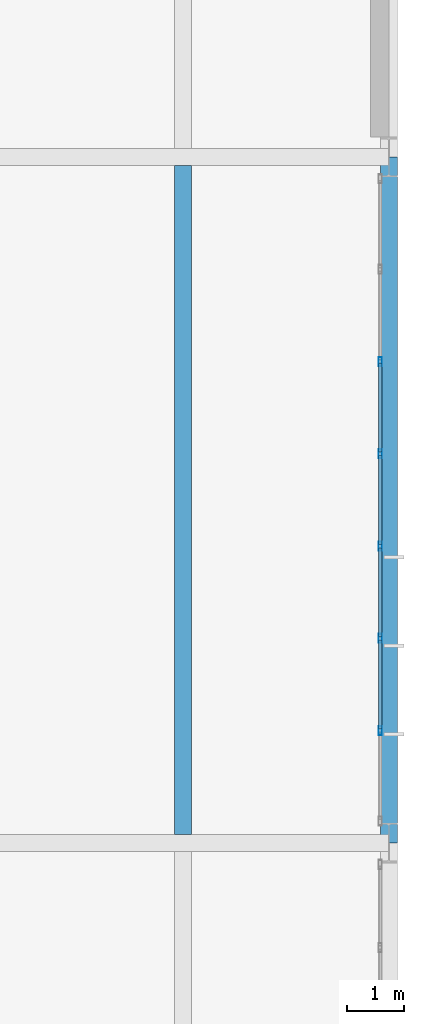
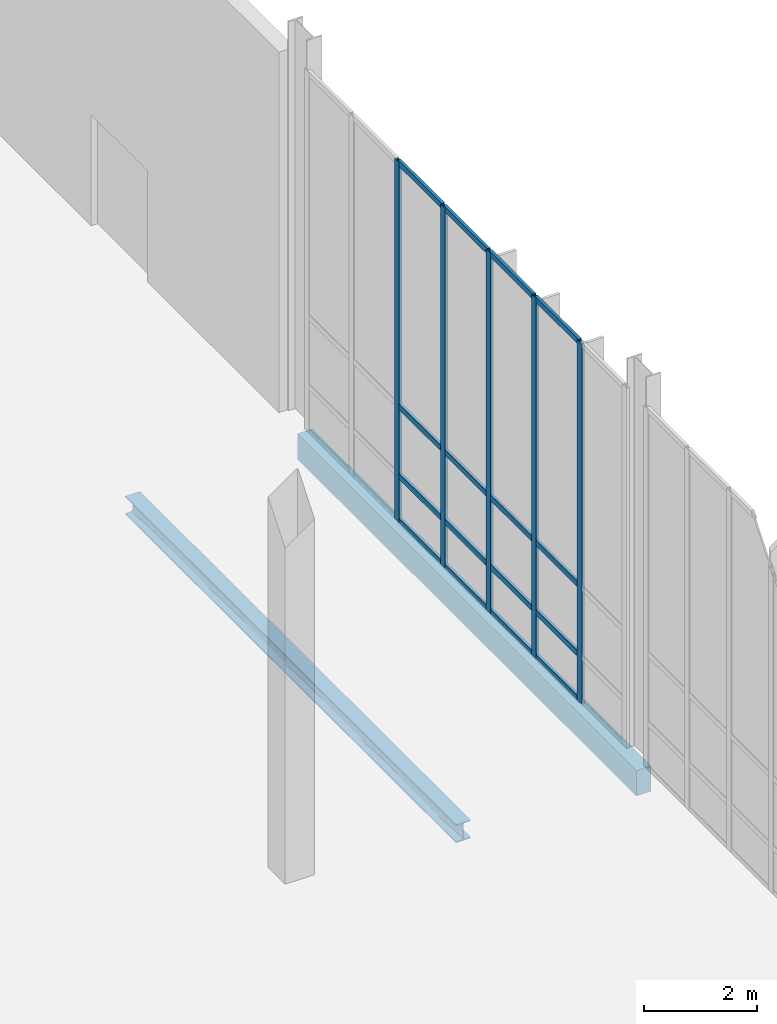
# One storey, part 96 of 131: 21 members, 2 beams, 1 element without a shape of its own.
"""IFC4 building model written with IfcOpenShell, lengths in metres."""

from ifc_helpers import new_model, si_unit, direction, frame, origin, origin_2d, place, context, subcontext, project, spatial, rectangle, hollow_rectangle, i_section, extrude, material, material_profile, profile_set, type_object, element, aggregate, save


model = new_model("IFC4")

# Units and contexts
model_context = context("Model", 3, precision=1e-05, world=origin(), true_north=direction((0.0, 1.0)))
body_context = subcontext(model_context, "Body", "Model", "MODEL_VIEW")
ifc_project = project(units=[si_unit("LENGTHUNIT", "METRE"), si_unit("AREAUNIT", "SQUARE_METRE"), si_unit("VOLUMEUNIT", "CUBIC_METRE"), si_unit("PLANEANGLEUNIT", "RADIAN"), si_unit("MASSUNIT", "GRAM", prefix="KILO")], contexts=[model_context])

# Site, building, storey
site_placement = place(None, origin())
site = spatial("IfcSite", under=ifc_project, at=site_placement, CompositionType="ELEMENT")
building_placement = place(site_placement, origin())
building = spatial("IfcBuilding", under=site, at=building_placement, Name="Veltarok Museum of Natural Sciences", CompositionType="ELEMENT")
storey_placement = place(building_placement, origin())
storey = spatial("IfcBuildingStorey", under=building, at=storey_placement, Name="L00", CompositionType="ELEMENT", Elevation=0.0)

# Curtain wall, members
ifc_material_1 = material(Name="Low-iron triple insulated glass", Category="glass")
curtain_wall_type = type_object("IfcCurtainWallType", Name="Curtain Wall System CW-V5E-L00-E-1130x778 (V5 East Lab L00 E-F 1130x778cm)", PredefinedType="NOTDEFINED", material=ifc_material_1)
curtain_wall_placement = place(storey_placement, origin())
curtain_wall = element("IfcCurtainWall", 1, at=curtain_wall_placement, inside=storey, type_object=curtain_wall_type, Name="Curtain Wall CW-V5E-L00-E-1130x778 CW-0102", PredefinedType="NOTDEFINED")
ifc_material_2 = material(Name="Thermally broken anodised aluminium", Category="aluminium")
ifc_material_profile_1 = material_profile(ifc_material_2, hollow_rectangle(XDim=0.06005859375, YDim=0.1201171875, WallThickness=0.0048828125, at=origin_2d()), Name="CW TRANSOM 60x120x5")
ifc_profile_set_1 = profile_set([ifc_material_profile_1], Name="Thermally broken anodised aluminium")
member_type_1 = type_object("IfcMemberType", Name="Curtain Wall Horizontal Transom 60x120x5", PredefinedType="USERDEFINED", material=ifc_profile_set_1)
member_1_placement = place(storey_placement, frame((164.64990234375, 37.994384765625, 0.030029296875), z_axis=(0.0, 1.0, 0.0), x_axis=(-1.0, 0.0, 0.0)))
member_1 = element("IfcMember", 2, at=member_1_placement, type_object=member_type_1, Name="CW-V5E-L00-E-1130x778 transom 2.1", ObjectType="TRANSOM", PredefinedType="USERDEFINED", context=body_context, shape_type="SweptSolid", body=[
    extrude(hollow_rectangle(XDim=0.06005859375, YDim=0.1201171875, WallThickness=0.0048828125, at=origin_2d()), origin(), (0.0, 0.0, 1.0), 1.55419921875),
])
member_2_placement = place(storey_placement, frame((164.64990234375, 37.994384765625, 1.0), z_axis=(0.0, 1.0, 0.0), x_axis=(-1.0, 0.0, 0.0)))
member_2 = element("IfcMember", 3, at=member_2_placement, type_object=member_type_1, Name="CW-V5E-L00-E-1130x778 transom 2.2", ObjectType="TRANSOM", PredefinedType="USERDEFINED", context=body_context, shape_type="SweptSolid", body=[
    extrude(hollow_rectangle(XDim=0.06005859375, YDim=0.1201171875, WallThickness=0.0048828125, at=origin_2d()), origin(), (0.0, 0.0, 1.0), 1.55419921875),
])
member_3_placement = place(storey_placement, frame((164.64990234375, 37.994384765625, 2.5), z_axis=(0.0, 1.0, 0.0), x_axis=(-1.0, 0.0, 0.0)))
member_3 = element("IfcMember", 4, at=member_3_placement, type_object=member_type_1, Name="CW-V5E-L00-E-1130x778 transom 2.3", ObjectType="TRANSOM", PredefinedType="USERDEFINED", context=body_context, shape_type="SweptSolid", body=[
    extrude(hollow_rectangle(XDim=0.06005859375, YDim=0.1201171875, WallThickness=0.0048828125, at=origin_2d()), origin(), (0.0, 0.0, 1.0), 1.55419921875),
])
member_4_placement = place(storey_placement, frame((164.64990234375, 37.994384765625, 7.75), z_axis=(0.0, 1.0, 0.0), x_axis=(-1.0, 0.0, 0.0)))
member_4 = element("IfcMember", 5, at=member_4_placement, type_object=member_type_1, Name="CW-V5E-L00-E-1130x778 transom 2.4", ObjectType="TRANSOM", PredefinedType="USERDEFINED", context=body_context, shape_type="SweptSolid", body=[
    extrude(hollow_rectangle(XDim=0.06005859375, YDim=0.1201171875, WallThickness=0.0048828125, at=origin_2d()), origin(), (0.0, 0.0, 1.0), 1.55419921875),
])
member_5_placement = place(storey_placement, frame((164.64990234375, 39.608642578125, 0.030029296875), z_axis=(0.0, 1.0, 0.0), x_axis=(-1.0, 0.0, 0.0)))
member_5 = element("IfcMember", 6, at=member_5_placement, type_object=member_type_1, Name="CW-V5E-L00-E-1130x778 transom 3.1", ObjectType="TRANSOM", PredefinedType="USERDEFINED", context=body_context, shape_type="SweptSolid", body=[
    extrude(hollow_rectangle(XDim=0.06005859375, YDim=0.1201171875, WallThickness=0.0048828125, at=origin_2d()), origin(), (0.0, 0.0, 1.0), 1.55419921875),
])
member_6_placement = place(storey_placement, frame((164.64990234375, 39.608642578125, 1.0), z_axis=(0.0, 1.0, 0.0), x_axis=(-1.0, 0.0, 0.0)))
member_6 = element("IfcMember", 7, at=member_6_placement, type_object=member_type_1, Name="CW-V5E-L00-E-1130x778 transom 3.2", ObjectType="TRANSOM", PredefinedType="USERDEFINED", context=body_context, shape_type="SweptSolid", body=[
    extrude(hollow_rectangle(XDim=0.06005859375, YDim=0.1201171875, WallThickness=0.0048828125, at=origin_2d()), origin(), (0.0, 0.0, 1.0), 1.55419921875),
])
member_7_placement = place(storey_placement, frame((164.64990234375, 39.608642578125, 2.5), z_axis=(0.0, 1.0, 0.0), x_axis=(-1.0, 0.0, 0.0)))
member_7 = element("IfcMember", 8, at=member_7_placement, type_object=member_type_1, Name="CW-V5E-L00-E-1130x778 transom 3.3", ObjectType="TRANSOM", PredefinedType="USERDEFINED", context=body_context, shape_type="SweptSolid", body=[
    extrude(hollow_rectangle(XDim=0.06005859375, YDim=0.1201171875, WallThickness=0.0048828125, at=origin_2d()), origin(), (0.0, 0.0, 1.0), 1.55419921875),
])
member_8_placement = place(storey_placement, frame((164.64990234375, 39.608642578125, 7.75), z_axis=(0.0, 1.0, 0.0), x_axis=(-1.0, 0.0, 0.0)))
member_8 = element("IfcMember", 9, at=member_8_placement, type_object=member_type_1, Name="CW-V5E-L00-E-1130x778 transom 3.4", ObjectType="TRANSOM", PredefinedType="USERDEFINED", context=body_context, shape_type="SweptSolid", body=[
    extrude(hollow_rectangle(XDim=0.06005859375, YDim=0.1201171875, WallThickness=0.0048828125, at=origin_2d()), origin(), (0.0, 0.0, 1.0), 1.55419921875),
])
member_9_placement = place(storey_placement, frame((164.64990234375, 41.222900390625, 0.030029296875), z_axis=(0.0, 1.0, 0.0), x_axis=(-1.0, 0.0, 0.0)))
member_9 = element("IfcMember", 10, at=member_9_placement, type_object=member_type_1, Name="CW-V5E-L00-E-1130x778 transom 4.1", ObjectType="TRANSOM", PredefinedType="USERDEFINED", context=body_context, shape_type="SweptSolid", body=[
    extrude(hollow_rectangle(XDim=0.06005859375, YDim=0.1201171875, WallThickness=0.0048828125, at=origin_2d()), origin(), (0.0, 0.0, 1.0), 1.55419921875),
])
member_10_placement = place(storey_placement, frame((164.64990234375, 41.222900390625, 1.0), z_axis=(0.0, 1.0, 0.0), x_axis=(-1.0, 0.0, 0.0)))
member_10 = element("IfcMember", 11, at=member_10_placement, type_object=member_type_1, Name="CW-V5E-L00-E-1130x778 transom 4.2", ObjectType="TRANSOM", PredefinedType="USERDEFINED", context=body_context, shape_type="SweptSolid", body=[
    extrude(hollow_rectangle(XDim=0.06005859375, YDim=0.1201171875, WallThickness=0.0048828125, at=origin_2d()), origin(), (0.0, 0.0, 1.0), 1.55419921875),
])
member_11_placement = place(storey_placement, frame((164.64990234375, 41.222900390625, 2.5), z_axis=(0.0, 1.0, 0.0), x_axis=(-1.0, 0.0, 0.0)))
member_11 = element("IfcMember", 12, at=member_11_placement, type_object=member_type_1, Name="CW-V5E-L00-E-1130x778 transom 4.3", ObjectType="TRANSOM", PredefinedType="USERDEFINED", context=body_context, shape_type="SweptSolid", body=[
    extrude(hollow_rectangle(XDim=0.06005859375, YDim=0.1201171875, WallThickness=0.0048828125, at=origin_2d()), origin(), (0.0, 0.0, 1.0), 1.55419921875),
])
member_12_placement = place(storey_placement, frame((164.64990234375, 41.222900390625, 7.75), z_axis=(0.0, 1.0, 0.0), x_axis=(-1.0, 0.0, 0.0)))
member_12 = element("IfcMember", 13, at=member_12_placement, type_object=member_type_1, Name="CW-V5E-L00-E-1130x778 transom 4.4", ObjectType="TRANSOM", PredefinedType="USERDEFINED", context=body_context, shape_type="SweptSolid", body=[
    extrude(hollow_rectangle(XDim=0.06005859375, YDim=0.1201171875, WallThickness=0.0048828125, at=origin_2d()), origin(), (0.0, 0.0, 1.0), 1.55419921875),
])
member_13_placement = place(storey_placement, frame((164.64990234375, 42.837158203125, 0.030029296875), z_axis=(0.0, 1.0, 0.0), x_axis=(-1.0, 0.0, 0.0)))
member_13 = element("IfcMember", 14, at=member_13_placement, type_object=member_type_1, Name="CW-V5E-L00-E-1130x778 transom 5.1", ObjectType="TRANSOM", PredefinedType="USERDEFINED", context=body_context, shape_type="SweptSolid", body=[
    extrude(hollow_rectangle(XDim=0.06005859375, YDim=0.1201171875, WallThickness=0.0048828125, at=origin_2d()), origin(), (0.0, 0.0, 1.0), 1.55419921875),
])
member_14_placement = place(storey_placement, frame((164.64990234375, 42.837158203125, 1.0), z_axis=(0.0, 1.0, 0.0), x_axis=(-1.0, 0.0, 0.0)))
member_14 = element("IfcMember", 15, at=member_14_placement, type_object=member_type_1, Name="CW-V5E-L00-E-1130x778 transom 5.2", ObjectType="TRANSOM", PredefinedType="USERDEFINED", context=body_context, shape_type="SweptSolid", body=[
    extrude(hollow_rectangle(XDim=0.06005859375, YDim=0.1201171875, WallThickness=0.0048828125, at=origin_2d()), origin(), (0.0, 0.0, 1.0), 1.55419921875),
])
member_15_placement = place(storey_placement, frame((164.64990234375, 42.837158203125, 2.5), z_axis=(0.0, 1.0, 0.0), x_axis=(-1.0, 0.0, 0.0)))
member_15 = element("IfcMember", 16, at=member_15_placement, type_object=member_type_1, Name="CW-V5E-L00-E-1130x778 transom 5.3", ObjectType="TRANSOM", PredefinedType="USERDEFINED", context=body_context, shape_type="SweptSolid", body=[
    extrude(hollow_rectangle(XDim=0.06005859375, YDim=0.1201171875, WallThickness=0.0048828125, at=origin_2d()), origin(), (0.0, 0.0, 1.0), 1.55419921875),
])
member_16_placement = place(storey_placement, frame((164.64990234375, 42.837158203125, 7.75), z_axis=(0.0, 1.0, 0.0), x_axis=(-1.0, 0.0, 0.0)))
member_16 = element("IfcMember", 17, at=member_16_placement, type_object=member_type_1, Name="CW-V5E-L00-E-1130x778 transom 5.4", ObjectType="TRANSOM", PredefinedType="USERDEFINED", context=body_context, shape_type="SweptSolid", body=[
    extrude(hollow_rectangle(XDim=0.06005859375, YDim=0.1201171875, WallThickness=0.0048828125, at=origin_2d()), origin(), (0.0, 0.0, 1.0), 1.55419921875),
])
ifc_material_profile_2 = material_profile(ifc_material_2, hollow_rectangle(XDim=0.06005859375, YDim=0.159912109375, WallThickness=0.0048828125, at=origin_2d()), Name="CW MULLION 60x160x5")
ifc_profile_set_2 = profile_set([ifc_material_profile_2], Name="Thermally broken anodised aluminium")
member_type_2 = type_object("IfcMemberType", Name="Curtain Wall Vertical Mullion 60x160x5", PredefinedType="MULLION", material=ifc_profile_set_2)
member_17_placement = place(storey_placement, frame((164.64990234375, 37.96435546875, 0.0), z_axis=(0.0, 0.0, 1.0), x_axis=(-1.0, 0.0, 0.0)))
member_17 = element("IfcMember", 18, at=member_17_placement, type_object=member_type_2, Name="CW-V5E-L00-E-1130x778 mullion 2", PredefinedType="MULLION", context=body_context, shape_type="SweptSolid", body=[
    extrude(hollow_rectangle(XDim=0.06005859375, YDim=0.159912109375, WallThickness=0.0048828125, at=origin_2d()), origin(), (0.0, 0.0, 1.0), 7.780029296875),
])
member_18_placement = place(storey_placement, frame((164.64990234375, 39.57861328125, 0.0), z_axis=(0.0, 0.0, 1.0), x_axis=(-1.0, 0.0, 0.0)))
member_18 = element("IfcMember", 19, at=member_18_placement, type_object=member_type_2, Name="CW-V5E-L00-E-1130x778 mullion 3", PredefinedType="MULLION", context=body_context, shape_type="SweptSolid", body=[
    extrude(hollow_rectangle(XDim=0.06005859375, YDim=0.159912109375, WallThickness=0.0048828125, at=origin_2d()), origin(), (0.0, 0.0, 1.0), 7.780029296875),
])
member_19_placement = place(storey_placement, frame((164.64990234375, 41.19287109375, 0.0), z_axis=(0.0, 0.0, 1.0), x_axis=(-1.0, 0.0, 0.0)))
member_19 = element("IfcMember", 20, at=member_19_placement, type_object=member_type_2, Name="CW-V5E-L00-E-1130x778 mullion 4", PredefinedType="MULLION", context=body_context, shape_type="SweptSolid", body=[
    extrude(hollow_rectangle(XDim=0.06005859375, YDim=0.159912109375, WallThickness=0.0048828125, at=origin_2d()), origin(), (0.0, 0.0, 1.0), 7.780029296875),
])
member_20_placement = place(storey_placement, frame((164.64990234375, 42.80712890625, 0.0), z_axis=(0.0, 0.0, 1.0), x_axis=(-1.0, 0.0, 0.0)))
member_20 = element("IfcMember", 21, at=member_20_placement, type_object=member_type_2, Name="CW-V5E-L00-E-1130x778 mullion 5", PredefinedType="MULLION", context=body_context, shape_type="SweptSolid", body=[
    extrude(hollow_rectangle(XDim=0.06005859375, YDim=0.159912109375, WallThickness=0.0048828125, at=origin_2d()), origin(), (0.0, 0.0, 1.0), 7.780029296875),
])
member_21_placement = place(storey_placement, frame((164.64990234375, 44.42138671875, 0.0), z_axis=(0.0, 0.0, 1.0), x_axis=(-1.0, 0.0, 0.0)))
member_21 = element("IfcMember", 22, at=member_21_placement, type_object=member_type_2, Name="CW-V5E-L00-E-1130x778 mullion 6", PredefinedType="MULLION", context=body_context, shape_type="SweptSolid", body=[
    extrude(hollow_rectangle(XDim=0.06005859375, YDim=0.159912109375, WallThickness=0.0048828125, at=origin_2d()), origin(), (0.0, 0.0, 1.0), 7.780029296875),
])
aggregate(curtain_wall, [member_17, member_18, member_19, member_20, member_21, member_1, member_2, member_3, member_4, member_5, member_6, member_7, member_8, member_9, member_10, member_11, member_12, member_13, member_14, member_15, member_16])

# Beams
ifc_material_3 = material(Name="Precast concrete C40/50", Category="concrete")
ifc_material_profile_3 = material_profile(ifc_material_3, rectangle(XDim=0.300048828125, YDim=0.550048828125, at=origin_2d()), Name="RC 300x550")
ifc_profile_set_3 = profile_set([ifc_material_profile_3], Name="Precast concrete C40/50")
beam_type_1 = type_object("IfcBeamType", Name="East Wing Precast Spandrel RC 300x550", PredefinedType="SPANDREL", material=ifc_profile_set_3)
beam_1_placement = place(storey_placement, frame((164.800048828125, 36.0, -0.574951171875), z_axis=(0.0, 1.0, 0.0), x_axis=(-1.0, 0.0, 0.0)))
element("IfcBeam", 23, at=beam_1_placement, inside=storey, type_object=beam_type_1, Name="Beam BM-SP02 L00 20/E-F", PredefinedType="SPANDREL", context=body_context, shape_type="SweptSolid", body=[
    extrude(rectangle(XDim=0.300048828125, YDim=0.550048828125, at=origin_2d()), origin(), (0.0, 0.0, 1.0), 12.0),
])
ifc_material_4 = material(Name="Steel S355J2", Category="steel")
ifc_material_profile_4 = material_profile(ifc_material_4, i_section(OverallWidth=0.300048828125, OverallDepth=0.389892578125, WebThickness=0.010986328125, FlangeThickness=0.01904296875, FilletRadius=0.027099609375, at=origin_2d()), Name="HEA 400")
ifc_profile_set_4 = profile_set([ifc_material_profile_4], Name="Steel S355J2")
beam_type_2 = type_object("IfcBeamType", Name="Heavy Archive Joist HEA 400", PredefinedType="JOIST", material=ifc_profile_set_4)
beam_2_placement = place(storey_placement, frame((161.199951171875, 36.14794921875, -0.4951171875), z_axis=(0.0, 1.0, 0.0), x_axis=(-1.0, 0.0, 0.0)))
element("IfcBeam", 24, at=beam_2_placement, inside=storey, type_object=beam_type_2, Name="Secondary Joist BM-J06 L00 19-20/E-F.1", PredefinedType="JOIST", context=body_context, shape_type="SweptSolid", body=[
    extrude(i_section(OverallWidth=0.300048828125, OverallDepth=0.389892578125, WebThickness=0.010986328125, FlangeThickness=0.01904296875, FilletRadius=0.027099609375, at=origin_2d()), origin(), (0.0, 0.0, 1.0), 11.7041015625),
])

save(model, "model.ifc")
